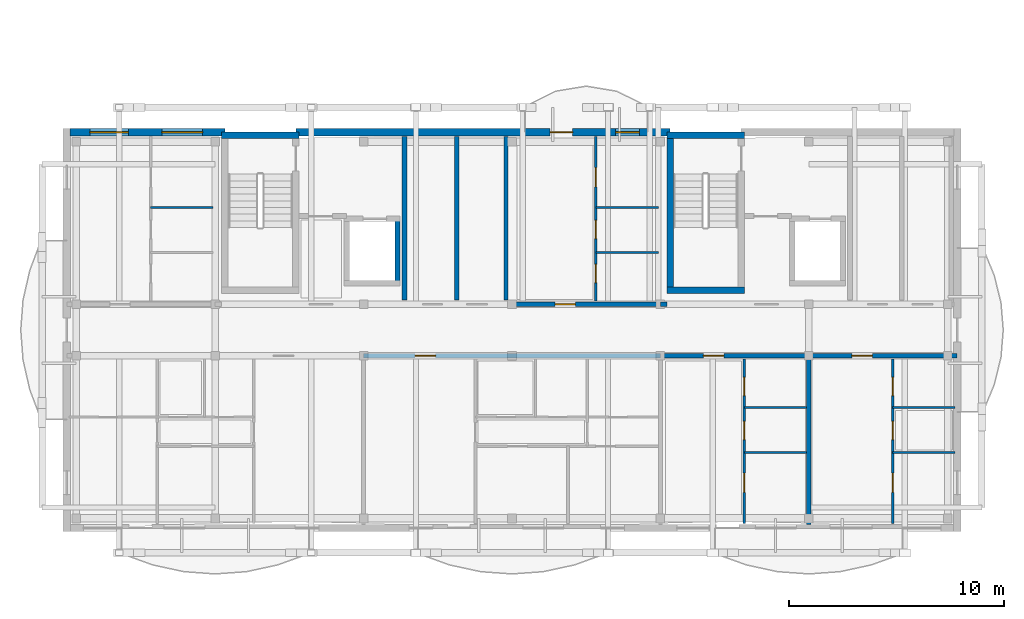
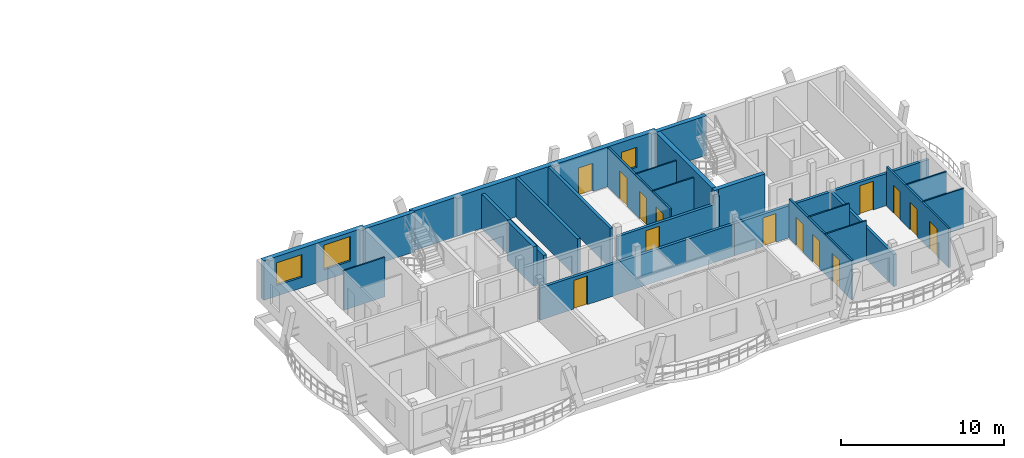
# One storey, part 8 of 18: 26 walls, 14 doors, 3 windows, 17 openings.
"""IFC4 building model written with IfcOpenShell, lengths in metres."""

from ifc_helpers import new_model, si_unit, direction, frame, frame_2d, origin, origin_with_axes, place, context, subcontext, project, spatial, rectangle, extrude, material, layer, layer_set, type_object, element, fill, save


model = new_model("IFC4")

# Units and contexts
model_context = context("Model", 3, precision=1e-05, world=origin(), true_north=direction((0.0, 1.0)))
body_context = subcontext(model_context, "Body", "Model", "MODEL_VIEW")
ifc_project = project(units=[si_unit("LENGTHUNIT", "METRE"), si_unit("AREAUNIT", "SQUARE_METRE"), si_unit("VOLUMEUNIT", "CUBIC_METRE"), si_unit("PLANEANGLEUNIT", "RADIAN"), si_unit("MASSUNIT", "GRAM", prefix="KILO")], contexts=[model_context])

# Site, building, storey
site_placement = place(None, origin())
site = spatial("IfcSite", under=ifc_project, at=site_placement, CompositionType="ELEMENT")
building_placement = place(site_placement, origin())
building = spatial("IfcBuilding", under=site, at=building_placement, Name="Zavelmont Quarter", CompositionType="ELEMENT")
storey_placement = place(building_placement, frame((0.0, 0.0, 40.0)))
storey = spatial("IfcBuildingStorey", under=building, at=storey_placement, Name="L12", CompositionType="ELEMENT", Elevation=40.0)

# Wall, openings, windows
ifc_material_1 = material(Name="Natural Belgian limestone", Category="masonry")
ifc_layer_1 = layer(ifc_material_1, 0.340087890625)
ifc_layer_set_1 = layer_set([ifc_layer_1], Name="Natural Belgian limestone")
wall_type_1 = type_object("IfcWallType", Name="EW03", PredefinedType="STANDARD", material=ifc_layer_set_1)
wall_1_placement = place(storey_placement, frame((0.159912109375, 18.39990234375, 0.0), z_axis=(0.0, 0.0, 1.0), x_axis=(1.0, 0.0, 0.0)))
wall_1 = element("IfcWall", 1, at=wall_1_placement, inside=storey, type_object=wall_type_1, Name="L12 exterior limestone wall EW03", PredefinedType="STANDARD", context=body_context, shape_type="SweptSolid", body=[
    extrude(rectangle(XDim=7.190185546875, YDim=0.340087890625, at=frame_2d((3.59521484375, 0.0))), origin(), (0.0, 0.0, 1.0), 2.969970703125),
])
opening_1_placement = place(wall_1_placement, frame((0.909912109375, 0.0, 0.800048828125)))
opening_1 = element("IfcOpeningElement", 2, at=opening_1_placement, cuts=wall_1, Name="Opening WN02", PredefinedType="OPENING", context=body_context, shape_type="SweptSolid", body=[
    extrude(rectangle(XDim=1.800048828125, YDim=1.699951171875, at=frame_2d((0.89990234375, 0.85009765625))), frame((0.0, 0.18212890625, 0.0), z_axis=(0.0, -1.0, 0.0), x_axis=(1.0, 0.0, 0.0)), (0.0, 0.0, 1.0), 0.364013671875),
])
opening_2_placement = place(wall_1_placement, frame((4.260009765625, 0.0, 0.800048828125)))
opening_2 = element("IfcOpeningElement", 3, at=opening_2_placement, cuts=wall_1, Name="Opening WN20", PredefinedType="OPENING", context=body_context, shape_type="SweptSolid", body=[
    extrude(rectangle(XDim=1.89990234375, YDim=1.85009765625, at=frame_2d((0.949951171875, 0.925048828125))), frame((0.0, 0.18212890625, 0.0), z_axis=(0.0, -1.0, 0.0), x_axis=(1.0, 0.0, 0.0)), (0.0, 0.0, 1.0), 0.364013671875),
])
ifc_material_2 = material(Name="Double low-E insulated glazing in thermally broken aluminium frame", Category="aluminium")
window_type_1 = type_object("IfcWindowType", Name="WN02", PartitioningType="SINGLE_PANEL", PredefinedType="WINDOW", material=ifc_material_2)
window_1_placement = place(opening_1_placement, origin_with_axes())
window_1 = element("IfcWindow", 4, at=window_1_placement, inside=storey, type_object=window_type_1, Name="L12 window WN02", OverallHeight=1.699951171875, OverallWidth=1.800048828125, PartitioningType="SINGLE_PANEL", PredefinedType="WINDOW", context=body_context, shape_type="SweptSolid", body=[
    extrude(rectangle(XDim=1.800048828125, YDim=1.699951171875, at=frame_2d((0.89990234375, 0.85009765625))), frame((0.0, 0.030029296875, 0.0), z_axis=(0.0, -1.0, 0.0), x_axis=(1.0, 0.0, 0.0)), (0.0, 0.0, 1.0), 0.06005859375),
])
fill(opening_1, window_1)
window_type_2 = type_object("IfcWindowType", Name="WN20", PartitioningType="SINGLE_PANEL", PredefinedType="WINDOW", material=ifc_material_2)
window_2_placement = place(opening_2_placement, origin_with_axes())
window_2 = element("IfcWindow", 5, at=window_2_placement, inside=storey, type_object=window_type_2, Name="L12 window WN20", OverallHeight=1.85009765625, OverallWidth=1.89990234375, PartitioningType="SINGLE_PANEL", PredefinedType="WINDOW", context=body_context, shape_type="SweptSolid", body=[
    extrude(rectangle(XDim=1.89990234375, YDim=1.85009765625, at=frame_2d((0.949951171875, 0.925048828125))), frame((0.0, 0.030029296875, 0.0), z_axis=(0.0, -1.0, 0.0), x_axis=(1.0, 0.0, 0.0)), (0.0, 0.0, 1.0), 0.06005859375),
])
fill(opening_2, window_2)

# Wall, openings, door, window
wall_2_placement = place(storey_placement, frame((10.64990234375, 18.39990234375, 0.0), z_axis=(0.0, 0.0, 1.0), x_axis=(1.0, 0.0, 0.0)))
wall_2 = element("IfcWall", 6, at=wall_2_placement, inside=storey, type_object=wall_type_1, Name="L12 exterior limestone wall EW03", PredefinedType="STANDARD", context=body_context, shape_type="SweptSolid", body=[
    extrude(rectangle(XDim=17.400146484375, YDim=0.340087890625, at=frame_2d((8.7001953125, 0.0))), origin(), (0.0, 0.0, 1.0), 2.969970703125),
])
opening_3_placement = place(wall_2_placement, frame((11.820068359375, 0.0, 0.0)))
opening_3 = element("IfcOpeningElement", 7, at=opening_3_placement, cuts=wall_2, Name="Opening DR04A", PredefinedType="OPENING", context=body_context, shape_type="SweptSolid", body=[
    extrude(rectangle(XDim=1.050048828125, YDim=2.1201171875, at=frame_2d((0.52490234375, 1.06005859375))), frame((0.0, 0.18212890625, 0.0), z_axis=(0.0, -1.0, 0.0), x_axis=(1.0, 0.0, 0.0)), (0.0, 0.0, 1.0), 0.364013671875),
])
opening_4_placement = place(wall_2_placement, frame((14.8701171875, 0.0, 0.719970703125)))
opening_4 = element("IfcOpeningElement", 8, at=opening_4_placement, cuts=wall_2, Name="Opening WN09", PredefinedType="OPENING", context=body_context, shape_type="SweptSolid", body=[
    extrude(rectangle(XDim=1.10009765625, YDim=1.5, at=frame_2d((0.550048828125, 0.75))), frame((0.0, 0.18212890625, 0.0), z_axis=(0.0, -1.0, 0.0), x_axis=(1.0, 0.0, 0.0)), (0.0, 0.0, 1.0), 0.364013671875),
])
ifc_material_3 = material(Name="Thermally broken aluminium and double safety glass", Category="aluminium")
door_type_1 = type_object("IfcDoorType", Name="DR04A", OperationType="NOTDEFINED", PredefinedType="DOOR", material=ifc_material_3)
door_1_placement = place(opening_3_placement, frame((1.050048828125, 0.0, 0.0), z_axis=(0.0, 0.0, 1.0), x_axis=(-1.0, 0.0, 0.0)))
door_1 = element("IfcDoor", 9, at=door_1_placement, inside=storey, type_object=door_type_1, Name="Block A L12 glazed balcony door", OperationType="SINGLE_SWING_LEFT", OverallHeight=2.1201171875, OverallWidth=1.050048828125, PredefinedType="DOOR", context=body_context, shape_type="SweptSolid", body=[
    extrude(rectangle(XDim=1.050048828125, YDim=2.1201171875, at=frame_2d((0.52490234375, 1.06005859375))), frame((0.0, 0.02490234375, 0.0), z_axis=(0.0, -1.0, 0.0), x_axis=(1.0, 0.0, 0.0)), (0.0, 0.0, 1.0), 0.050048828125),
])
fill(opening_3, door_1)
window_type_3 = type_object("IfcWindowType", Name="WN09", PartitioningType="SINGLE_PANEL", PredefinedType="WINDOW", material=ifc_material_2)
window_3_placement = place(opening_4_placement, origin_with_axes())
window_3 = element("IfcWindow", 10, at=window_3_placement, inside=storey, type_object=window_type_3, Name="L12 window WN09", OverallHeight=1.5, OverallWidth=1.10009765625, PartitioningType="SINGLE_PANEL", PredefinedType="WINDOW", context=body_context, shape_type="SweptSolid", body=[
    extrude(rectangle(XDim=1.10009765625, YDim=1.5, at=frame_2d((0.550048828125, 0.75))), frame((0.0, 0.030029296875, 0.0), z_axis=(0.0, -1.0, 0.0), x_axis=(1.0, 0.0, 0.0)), (0.0, 0.0, 1.0), 0.06005859375),
])
fill(opening_4, window_3)

# Walls
ifc_material_4 = material(Name="Calcium-silicate blockwork and acoustic plaster", Category="masonry")
ifc_layer_2 = layer(ifc_material_4, 0.199951171875)
ifc_layer_set_2 = layer_set([ifc_layer_2], Name="Calcium-silicate blockwork and acoustic plaster")
wall_type_2 = type_object("IfcWallType", Name="IW01", PredefinedType="PARTITIONING", material=ifc_layer_set_2)
for number, where, z_axis, x_axis, name in (
    (11, (18.125, 10.60009765625, 0.0), (0.0, 0.0, 1.0), (0.0, 1.0, 0.0), "L12 Service riser divider wall IW01"),
    (12, (20.419921875, 10.60009765625, 0.0), (0.0, 0.0, 1.0), (0.0, 1.0, 0.0), "L12 Core service end wall IW01"),
):
    element("IfcWall", number, at=place(storey_placement, frame(where, z_axis=z_axis, x_axis=x_axis)), inside=storey, type_object=wall_type_2, Name=name, PredefinedType="PARTITIONING", context=body_context, shape_type="SweptSolid", body=[
        extrude(rectangle(XDim=7.599853515625, YDim=0.199951171875, at=frame_2d((3.7998046875, 0.0))), origin(), (0.0, 0.0, 1.0), 2.969970703125),
    ])

# Wall, opening, door
wall_3_placement = place(storey_placement, frame((13.800048828125, 8.0, 0.0), z_axis=(0.0, 0.0, 1.0), x_axis=(1.0, 0.0, 0.0)))
wall_3 = element("IfcWall", 13, at=wall_3_placement, inside=storey, type_object=wall_type_2, Name="L12 Corridor compartment wall IW01", PredefinedType="PARTITIONING", context=body_context, shape_type="SweptSolid", body=[
    extrude(rectangle(XDim=13.800048828125, YDim=0.199951171875, at=frame_2d((6.89990234375, 0.0))), origin(), (0.0, 0.0, 1.0), 2.409912109375),
])
opening_5_placement = place(wall_3_placement, frame((2.39990234375, 0.0, 0.0)))
opening_5 = element("IfcOpeningElement", 14, at=opening_5_placement, cuts=wall_3, Name="Opening DR02", PredefinedType="OPENING", context=body_context, shape_type="SweptSolid", body=[
    extrude(rectangle(XDim=0.949951171875, YDim=2.14990234375, at=frame_2d((0.47509765625, 1.074951171875))), frame((0.0, 0.11181640625, 0.0), z_axis=(0.0, -1.0, 0.0), x_axis=(1.0, 0.0, 0.0)), (0.0, 0.0, 1.0), 0.223876953125),
])
ifc_material_5 = material(Name="Solid-core oak fire leaf in steel frame", Category="steel")
door_type_2 = type_object("IfcDoorType", Name="DR02", OperationType="NOTDEFINED", PredefinedType="DOOR", material=ifc_material_5)
door_2_placement = place(opening_5_placement, frame((0.949951171875, 0.0, 0.0), z_axis=(0.0, 0.0, 1.0), x_axis=(-1.0, 0.0, 0.0)))
door_2 = element("IfcDoor", 15, at=door_2_placement, inside=storey, type_object=door_type_2, Name="L12 door DR02", OperationType="SINGLE_SWING_RIGHT", OverallHeight=2.14990234375, OverallWidth=0.949951171875, PredefinedType="DOOR", context=body_context, shape_type="SweptSolid", body=[
    extrude(rectangle(XDim=0.949951171875, YDim=2.14990234375, at=frame_2d((0.47509765625, 1.074951171875))), frame((0.0, 0.02490234375, 0.0), z_axis=(0.0, -1.0, 0.0), x_axis=(1.0, 0.0, 0.0)), (0.0, 0.0, 1.0), 0.050048828125),
])
fill(opening_5, door_2)

# Wall
wall_4_placement = place(storey_placement, frame((34.5, 7.85009765625, 0.0), z_axis=(0.0, 0.0, 1.0), x_axis=(0.0, -1.0, 0.0)))
element("IfcWall", 16, at=wall_4_placement, inside=storey, type_object=wall_type_2, Name="L12 Inter-dwelling compartment wall IW01", PredefinedType="PARTITIONING", context=body_context, shape_type="SweptSolid", body=[
    extrude(rectangle(XDim=7.7001953125, YDim=0.199951171875, at=frame_2d((3.85009765625, 0.0))), origin(), (0.0, 0.0, 1.0), 2.409912109375),
])

# Wall, opening, door
wall_5_placement = place(storey_placement, frame((27.60009765625, 8.0, 0.0), z_axis=(0.0, 0.0, 1.0), x_axis=(1.0, 0.0, 0.0)))
wall_5 = element("IfcWall", 17, at=wall_5_placement, inside=storey, type_object=wall_type_2, Name="L12 Corridor compartment wall IW01", PredefinedType="PARTITIONING", context=body_context, shape_type="SweptSolid", body=[
    extrude(rectangle(XDim=6.89990234375, YDim=0.199951171875, at=frame_2d((3.449951171875, 0.0))), origin(), (0.0, 0.0, 1.0), 2.409912109375),
])
opening_6_placement = place(wall_5_placement, frame((2.0, 0.0, 0.0)))
opening_6 = element("IfcOpeningElement", 18, at=opening_6_placement, cuts=wall_5, Name="Opening DR02", PredefinedType="OPENING", context=body_context, shape_type="SweptSolid", body=[
    extrude(rectangle(XDim=0.949951171875, YDim=2.14990234375, at=frame_2d((0.47509765625, 1.074951171875))), frame((0.0, 0.11181640625, 0.0), z_axis=(0.0, -1.0, 0.0), x_axis=(1.0, 0.0, 0.0)), (0.0, 0.0, 1.0), 0.223876953125),
])
door_3_placement = place(opening_6_placement, frame((0.949951171875, 0.0, 0.0), z_axis=(0.0, 0.0, 1.0), x_axis=(-1.0, 0.0, 0.0)))
door_3 = element("IfcDoor", 19, at=door_3_placement, inside=storey, type_object=door_type_2, Name="L12 door DR02", OperationType="SINGLE_SWING_LEFT", OverallHeight=2.14990234375, OverallWidth=0.949951171875, PredefinedType="DOOR", context=body_context, shape_type="SweptSolid", body=[
    extrude(rectangle(XDim=0.949951171875, YDim=2.14990234375, at=frame_2d((0.47509765625, 1.074951171875))), frame((0.0, 0.02490234375, 0.0), z_axis=(0.0, -1.0, 0.0), x_axis=(1.0, 0.0, 0.0)), (0.0, 0.0, 1.0), 0.050048828125),
])
fill(opening_6, door_3)

wall_6_placement = place(storey_placement, frame((34.5, 8.0, 0.0), z_axis=(0.0, 0.0, 1.0), x_axis=(1.0, 0.0, 0.0)))
wall_6 = element("IfcWall", 20, at=wall_6_placement, inside=storey, type_object=wall_type_2, Name="L12 Corridor compartment wall IW01", PredefinedType="PARTITIONING", context=body_context, shape_type="SweptSolid", body=[
    extrude(rectangle(XDim=6.89990234375, YDim=0.199951171875, at=frame_2d((3.449951171875, 0.0))), origin(), (0.0, 0.0, 1.0), 2.409912109375),
])
opening_7_placement = place(wall_6_placement, frame((2.0, 0.0, 0.0)))
opening_7 = element("IfcOpeningElement", 21, at=opening_7_placement, cuts=wall_6, Name="Opening DR02", PredefinedType="OPENING", context=body_context, shape_type="SweptSolid", body=[
    extrude(rectangle(XDim=0.949951171875, YDim=2.14990234375, at=frame_2d((0.47509765625, 1.074951171875))), frame((0.0, 0.11181640625, 0.0), z_axis=(0.0, -1.0, 0.0), x_axis=(1.0, 0.0, 0.0)), (0.0, 0.0, 1.0), 0.223876953125),
])
door_4_placement = place(opening_7_placement, frame((0.949951171875, 0.0, 0.0), z_axis=(0.0, 0.0, 1.0), x_axis=(-1.0, 0.0, 0.0)))
door_4 = element("IfcDoor", 22, at=door_4_placement, inside=storey, type_object=door_type_2, Name="L12 door DR02", OperationType="SINGLE_SWING_RIGHT", OverallHeight=2.14990234375, OverallWidth=0.949951171875, PredefinedType="DOOR", context=body_context, shape_type="SweptSolid", body=[
    extrude(rectangle(XDim=0.949951171875, YDim=2.14990234375, at=frame_2d((0.47509765625, 1.074951171875))), frame((0.0, 0.02490234375, 0.0), z_axis=(0.0, -1.0, 0.0), x_axis=(1.0, 0.0, 0.0)), (0.0, 0.0, 1.0), 0.050048828125),
])
fill(opening_7, door_4)

wall_7_placement = place(storey_placement, frame((20.699951171875, 10.39990234375, 0.0), z_axis=(0.0, 0.0, 1.0), x_axis=(1.0, 0.0, 0.0)))
wall_7 = element("IfcWall", 23, at=wall_7_placement, inside=storey, type_object=wall_type_2, Name="L12 Corridor compartment wall IW01", PredefinedType="PARTITIONING", context=body_context, shape_type="SweptSolid", body=[
    extrude(rectangle(XDim=6.900146484375, YDim=0.199951171875, at=frame_2d((3.4501953125, 0.0))), origin(), (0.0, 0.0, 1.0), 2.409912109375),
])
opening_8_placement = place(wall_7_placement, frame((2.0, 0.0, 0.0)))
opening_8 = element("IfcOpeningElement", 24, at=opening_8_placement, cuts=wall_7, Name="Opening DR02", PredefinedType="OPENING", context=body_context, shape_type="SweptSolid", body=[
    extrude(rectangle(XDim=0.949951171875, YDim=2.14990234375, at=frame_2d((0.47509765625, 1.074951171875))), frame((0.0, 0.11181640625, 0.0), z_axis=(0.0, -1.0, 0.0), x_axis=(1.0, 0.0, 0.0)), (0.0, 0.0, 1.0), 0.223876953125),
])
door_5_placement = place(opening_8_placement, origin_with_axes())
door_5 = element("IfcDoor", 25, at=door_5_placement, inside=storey, type_object=door_type_2, Name="L12 door DR02", OperationType="SINGLE_SWING_LEFT", OverallHeight=2.14990234375, OverallWidth=0.949951171875, PredefinedType="DOOR", context=body_context, shape_type="SweptSolid", body=[
    extrude(rectangle(XDim=0.949951171875, YDim=2.14990234375, at=frame_2d((0.47509765625, 1.074951171875))), frame((0.0, 0.02490234375, 0.0), z_axis=(0.0, -1.0, 0.0), x_axis=(1.0, 0.0, 0.0)), (0.0, 0.0, 1.0), 0.050048828125),
])
fill(opening_8, door_5)

# Walls
ifc_material_6 = material(Name="Reinforced masonry fire compartment wall", Category="masonry")
ifc_layer_3 = layer(ifc_material_6, 0.22509765625)
ifc_layer_set_3 = layer_set([ifc_layer_3], Name="Reinforced masonry fire compartment wall")
wall_type_3 = type_object("IfcWallType", Name="IW02", PredefinedType="PARTITIONING", material=ifc_layer_set_3)
wall_8_placement = place(storey_placement, frame((15.7099609375, 10.60009765625, 0.0), z_axis=(0.0, 0.0, 1.0), x_axis=(0.0, 1.0, 0.0)))
element("IfcWall", 26, at=wall_8_placement, inside=storey, type_object=wall_type_3, Name="L12 Firefighting lobby enclosure wall IW02", PredefinedType="PARTITIONING", context=body_context, shape_type="SweptSolid", body=[
    extrude(rectangle(XDim=7.599853515625, YDim=0.22509765625, at=frame_2d((3.7998046875, 0.0))), origin(), (0.0, 0.0, 1.0), 2.590087890625),
])
wall_9_placement = place(storey_placement, frame((27.60009765625, 10.39990234375, 0.0), z_axis=(0.0, 0.0, 1.0), x_axis=(1.0, 0.0, 0.0)))
element("IfcWall", 27, at=wall_9_placement, inside=storey, type_object=wall_type_3, Name="L12 Core corridor wall IW02", PredefinedType="PARTITIONING", context=body_context, shape_type="SweptSolid", body=[
    extrude(rectangle(XDim=0.2998046875, YDim=0.22509765625, at=frame_2d((0.14990234375, 0.0))), origin(), (0.0, 0.0, 1.0), 2.969970703125),
])

# Wall, openings, doors
ifc_material_7 = material(Name="Double gypsum board on acoustic steel stud", Category="steel")
ifc_layer_4 = layer(ifc_material_7, 0.125)
ifc_layer_set_4 = layer_set([ifc_layer_4], Name="Double gypsum board on acoustic steel stud")
wall_type_4 = type_object("IfcWallType", Name="IW03", PredefinedType="PARTITIONING", material=ifc_layer_set_4)
wall_10_placement = place(storey_placement, frame((31.5, 7.85009765625, 0.0), z_axis=(0.0, 0.0, 1.0), x_axis=(0.0, -1.0, 0.0)))
wall_10 = element("IfcWall", 28, at=wall_10_placement, inside=storey, type_object=wall_type_4, Name="L12 Partition IW03", PredefinedType="PARTITIONING", context=body_context, shape_type="SweptSolid", body=[
    extrude(rectangle(XDim=7.650146484375, YDim=0.125, at=frame_2d((3.8251953125, 0.0))), origin(), (0.0, 0.0, 1.0), 2.969970703125),
])
opening_9_placement = place(wall_10_placement, frame((0.85009765625, 0.0, 0.0)))
opening_9 = element("IfcOpeningElement", 29, at=opening_9_placement, cuts=wall_10, Name="Opening DR16", PredefinedType="OPENING", context=body_context, shape_type="SweptSolid", body=[
    extrude(rectangle(XDim=0.85009765625, YDim=2.10009765625, at=frame_2d((0.425048828125, 1.050048828125))), frame((0.0, 0.074462890625, 0.0), z_axis=(0.0, -1.0, 0.0), x_axis=(1.0, 0.0, 0.0)), (0.0, 0.0, 1.0), 0.14892578125),
])
opening_10_placement = place(wall_10_placement, frame((2.89990234375, 0.0, 0.0)))
opening_10 = element("IfcOpeningElement", 30, at=opening_10_placement, cuts=wall_10, Name="Opening DR06", PredefinedType="OPENING", context=body_context, shape_type="SweptSolid", body=[
    extrude(rectangle(XDim=0.85009765625, YDim=2.050048828125, at=frame_2d((0.425048828125, 1.02490234375))), frame((0.0, 0.074462890625, 0.0), z_axis=(0.0, -1.0, 0.0), x_axis=(1.0, 0.0, 0.0)), (0.0, 0.0, 1.0), 0.14892578125),
])
opening_11_placement = place(wall_10_placement, frame((5.300048828125, 0.0, 0.0)))
opening_11 = element("IfcOpeningElement", 31, at=opening_11_placement, cuts=wall_10, Name="Opening DR05", PredefinedType="OPENING", context=body_context, shape_type="SweptSolid", body=[
    extrude(rectangle(XDim=0.89990234375, YDim=2.10009765625, at=frame_2d((0.449951171875, 1.050048828125))), frame((0.0, 0.074462890625, 0.0), z_axis=(0.0, -1.0, 0.0), x_axis=(1.0, 0.0, 0.0)), (0.0, 0.0, 1.0), 0.14892578125),
])
ifc_material_8 = material(Name="Engineered oak flush interior door")
door_type_3 = type_object("IfcDoorType", Name="DR05", OperationType="NOTDEFINED", PredefinedType="DOOR", material=ifc_material_8)
door_6_placement = place(opening_11_placement, origin_with_axes())
door_6 = element("IfcDoor", 32, at=door_6_placement, inside=storey, type_object=door_type_3, Name="L12 door DR05", OperationType="SINGLE_SWING_LEFT", OverallHeight=2.10009765625, OverallWidth=0.89990234375, PredefinedType="DOOR", context=body_context, shape_type="SweptSolid", body=[
    extrude(rectangle(XDim=0.89990234375, YDim=2.10009765625, at=frame_2d((0.449951171875, 1.050048828125))), frame((0.0, 0.02490234375, 0.0), z_axis=(0.0, -1.0, 0.0), x_axis=(1.0, 0.0, 0.0)), (0.0, 0.0, 1.0), 0.050048828125),
])
fill(opening_11, door_6)
ifc_material_9 = material(Name="Moisture-resistant painted wet-room door")
door_type_4 = type_object("IfcDoorType", Name="DR06", OperationType="NOTDEFINED", PredefinedType="DOOR", material=ifc_material_9)
door_7_placement = place(opening_10_placement, frame((0.85009765625, 0.0, 0.0), z_axis=(0.0, 0.0, 1.0), x_axis=(-1.0, 0.0, 0.0)))
door_7 = element("IfcDoor", 33, at=door_7_placement, inside=storey, type_object=door_type_4, Name="L12 door DR06", OperationType="SINGLE_SWING_RIGHT", OverallHeight=2.050048828125, OverallWidth=0.85009765625, PredefinedType="DOOR", context=body_context, shape_type="SweptSolid", body=[
    extrude(rectangle(XDim=0.85009765625, YDim=2.050048828125, at=frame_2d((0.425048828125, 1.02490234375))), frame((0.0, 0.02490234375, 0.0), z_axis=(0.0, -1.0, 0.0), x_axis=(1.0, 0.0, 0.0)), (0.0, 0.0, 1.0), 0.050048828125),
])
fill(opening_10, door_7)
door_type_5 = type_object("IfcDoorType", Name="DR16", OperationType="NOTDEFINED", PredefinedType="DOOR", material=ifc_material_8)
door_8_placement = place(opening_9_placement, origin_with_axes())
door_8 = element("IfcDoor", 34, at=door_8_placement, inside=storey, type_object=door_type_5, Name="L12 door DR16", OperationType="SINGLE_SWING_LEFT", OverallHeight=2.10009765625, OverallWidth=0.85009765625, PredefinedType="DOOR", context=body_context, shape_type="SweptSolid", body=[
    extrude(rectangle(XDim=0.85009765625, YDim=2.10009765625, at=frame_2d((0.425048828125, 1.050048828125))), frame((0.0, 0.02490234375, 0.0), z_axis=(0.0, -1.0, 0.0), x_axis=(1.0, 0.0, 0.0)), (0.0, 0.0, 1.0), 0.050048828125),
])
fill(opening_9, door_8)

wall_11_placement = place(storey_placement, frame((38.39990234375, 7.85009765625, 0.0), z_axis=(0.0, 0.0, 1.0), x_axis=(0.0, -1.0, 0.0)))
wall_11 = element("IfcWall", 35, at=wall_11_placement, inside=storey, type_object=wall_type_4, Name="L12 Partition IW03", PredefinedType="PARTITIONING", context=body_context, shape_type="SweptSolid", body=[
    extrude(rectangle(XDim=7.650146484375, YDim=0.125, at=frame_2d((3.8251953125, 0.0))), origin(), (0.0, 0.0, 1.0), 2.969970703125),
])
opening_12_placement = place(wall_11_placement, frame((0.85009765625, 0.0, 0.0)))
opening_12 = element("IfcOpeningElement", 36, at=opening_12_placement, cuts=wall_11, Name="Opening DR16", PredefinedType="OPENING", context=body_context, shape_type="SweptSolid", body=[
    extrude(rectangle(XDim=0.85009765625, YDim=2.10009765625, at=frame_2d((0.425048828125, 1.050048828125))), frame((0.0, 0.074462890625, 0.0), z_axis=(0.0, -1.0, 0.0), x_axis=(1.0, 0.0, 0.0)), (0.0, 0.0, 1.0), 0.14892578125),
])
opening_13_placement = place(wall_11_placement, frame((2.89990234375, 0.0, 0.0)))
opening_13 = element("IfcOpeningElement", 37, at=opening_13_placement, cuts=wall_11, Name="Opening DR06", PredefinedType="OPENING", context=body_context, shape_type="SweptSolid", body=[
    extrude(rectangle(XDim=0.85009765625, YDim=2.050048828125, at=frame_2d((0.425048828125, 1.02490234375))), frame((0.0, 0.074462890625, 0.0), z_axis=(0.0, -1.0, 0.0), x_axis=(1.0, 0.0, 0.0)), (0.0, 0.0, 1.0), 0.14892578125),
])
opening_14_placement = place(wall_11_placement, frame((5.300048828125, 0.0, 0.0)))
opening_14 = element("IfcOpeningElement", 38, at=opening_14_placement, cuts=wall_11, Name="Opening DR05", PredefinedType="OPENING", context=body_context, shape_type="SweptSolid", body=[
    extrude(rectangle(XDim=0.89990234375, YDim=2.10009765625, at=frame_2d((0.449951171875, 1.050048828125))), frame((0.0, 0.074462890625, 0.0), z_axis=(0.0, -1.0, 0.0), x_axis=(1.0, 0.0, 0.0)), (0.0, 0.0, 1.0), 0.14892578125),
])
door_9_placement = place(opening_14_placement, origin_with_axes())
door_9 = element("IfcDoor", 39, at=door_9_placement, inside=storey, type_object=door_type_3, Name="L12 door DR05", OperationType="SINGLE_SWING_RIGHT", OverallHeight=2.10009765625, OverallWidth=0.89990234375, PredefinedType="DOOR", context=body_context, shape_type="SweptSolid", body=[
    extrude(rectangle(XDim=0.89990234375, YDim=2.10009765625, at=frame_2d((0.449951171875, 1.050048828125))), frame((0.0, 0.02490234375, 0.0), z_axis=(0.0, -1.0, 0.0), x_axis=(1.0, 0.0, 0.0)), (0.0, 0.0, 1.0), 0.050048828125),
])
fill(opening_14, door_9)
door_10_placement = place(opening_13_placement, frame((0.85009765625, 0.0, 0.0), z_axis=(0.0, 0.0, 1.0), x_axis=(-1.0, 0.0, 0.0)))
door_10 = element("IfcDoor", 40, at=door_10_placement, inside=storey, type_object=door_type_4, Name="L12 door DR06", OperationType="SINGLE_SWING_LEFT", OverallHeight=2.050048828125, OverallWidth=0.85009765625, PredefinedType="DOOR", context=body_context, shape_type="SweptSolid", body=[
    extrude(rectangle(XDim=0.85009765625, YDim=2.050048828125, at=frame_2d((0.425048828125, 1.02490234375))), frame((0.0, 0.02490234375, 0.0), z_axis=(0.0, -1.0, 0.0), x_axis=(1.0, 0.0, 0.0)), (0.0, 0.0, 1.0), 0.050048828125),
])
fill(opening_13, door_10)
door_11_placement = place(opening_12_placement, origin_with_axes())
door_11 = element("IfcDoor", 41, at=door_11_placement, inside=storey, type_object=door_type_5, Name="L12 door DR16", OperationType="SINGLE_SWING_RIGHT", OverallHeight=2.10009765625, OverallWidth=0.85009765625, PredefinedType="DOOR", context=body_context, shape_type="SweptSolid", body=[
    extrude(rectangle(XDim=0.85009765625, YDim=2.10009765625, at=frame_2d((0.425048828125, 1.050048828125))), frame((0.0, 0.02490234375, 0.0), z_axis=(0.0, -1.0, 0.0), x_axis=(1.0, 0.0, 0.0)), (0.0, 0.0, 1.0), 0.050048828125),
])
fill(opening_12, door_11)

wall_12_placement = place(storey_placement, frame((24.60009765625, 10.550048828125, 0.0), z_axis=(0.0, 0.0, 1.0), x_axis=(0.0, 1.0, 0.0)))
wall_12 = element("IfcWall", 42, at=wall_12_placement, inside=storey, type_object=wall_type_4, Name="L12 Partition IW03", PredefinedType="PARTITIONING", context=body_context, shape_type="SweptSolid", body=[
    extrude(rectangle(XDim=7.64990234375, YDim=0.125, at=frame_2d((3.824951171875, 0.0))), origin(), (0.0, 0.0, 1.0), 2.969970703125),
])
opening_15_placement = place(wall_12_placement, frame((0.85009765625, 0.0, 0.0)))
opening_15 = element("IfcOpeningElement", 43, at=opening_15_placement, cuts=wall_12, Name="Opening DR16", PredefinedType="OPENING", context=body_context, shape_type="SweptSolid", body=[
    extrude(rectangle(XDim=0.85009765625, YDim=2.10009765625, at=frame_2d((0.425048828125, 1.050048828125))), frame((0.0, 0.074462890625, 0.0), z_axis=(0.0, -1.0, 0.0), x_axis=(1.0, 0.0, 0.0)), (0.0, 0.0, 1.0), 0.14892578125),
])
opening_16_placement = place(wall_12_placement, frame((2.89990234375, 0.0, 0.0)))
opening_16 = element("IfcOpeningElement", 44, at=opening_16_placement, cuts=wall_12, Name="Opening DR06", PredefinedType="OPENING", context=body_context, shape_type="SweptSolid", body=[
    extrude(rectangle(XDim=0.85009765625, YDim=2.050048828125, at=frame_2d((0.425048828125, 1.02490234375))), frame((0.0, 0.074462890625, 0.0), z_axis=(0.0, -1.0, 0.0), x_axis=(1.0, 0.0, 0.0)), (0.0, 0.0, 1.0), 0.14892578125),
])
opening_17_placement = place(wall_12_placement, frame((5.300048828125, 0.0, 0.0)))
opening_17 = element("IfcOpeningElement", 45, at=opening_17_placement, cuts=wall_12, Name="Opening DR05", PredefinedType="OPENING", context=body_context, shape_type="SweptSolid", body=[
    extrude(rectangle(XDim=0.89990234375, YDim=2.10009765625, at=frame_2d((0.449951171875, 1.050048828125))), frame((0.0, 0.074462890625, 0.0), z_axis=(0.0, -1.0, 0.0), x_axis=(1.0, 0.0, 0.0)), (0.0, 0.0, 1.0), 0.14892578125),
])
door_12_placement = place(opening_17_placement, origin_with_axes())
door_12 = element("IfcDoor", 46, at=door_12_placement, inside=storey, type_object=door_type_3, Name="L12 door DR05", OperationType="SINGLE_SWING_LEFT", OverallHeight=2.10009765625, OverallWidth=0.89990234375, PredefinedType="DOOR", context=body_context, shape_type="SweptSolid", body=[
    extrude(rectangle(XDim=0.89990234375, YDim=2.10009765625, at=frame_2d((0.449951171875, 1.050048828125))), frame((0.0, 0.02490234375, 0.0), z_axis=(0.0, -1.0, 0.0), x_axis=(1.0, 0.0, 0.0)), (0.0, 0.0, 1.0), 0.050048828125),
])
fill(opening_17, door_12)
door_13_placement = place(opening_16_placement, frame((0.85009765625, 0.0, 0.0), z_axis=(0.0, 0.0, 1.0), x_axis=(-1.0, 0.0, 0.0)))
door_13 = element("IfcDoor", 47, at=door_13_placement, inside=storey, type_object=door_type_4, Name="L12 door DR06", OperationType="SINGLE_SWING_RIGHT", OverallHeight=2.050048828125, OverallWidth=0.85009765625, PredefinedType="DOOR", context=body_context, shape_type="SweptSolid", body=[
    extrude(rectangle(XDim=0.85009765625, YDim=2.050048828125, at=frame_2d((0.425048828125, 1.02490234375))), frame((0.0, 0.02490234375, 0.0), z_axis=(0.0, -1.0, 0.0), x_axis=(1.0, 0.0, 0.0)), (0.0, 0.0, 1.0), 0.050048828125),
])
fill(opening_16, door_13)
door_14_placement = place(opening_15_placement, origin_with_axes())
door_14 = element("IfcDoor", 48, at=door_14_placement, inside=storey, type_object=door_type_5, Name="L12 door DR16", OperationType="SINGLE_SWING_LEFT", OverallHeight=2.10009765625, OverallWidth=0.85009765625, PredefinedType="DOOR", context=body_context, shape_type="SweptSolid", body=[
    extrude(rectangle(XDim=0.85009765625, YDim=2.10009765625, at=frame_2d((0.425048828125, 1.050048828125))), frame((0.0, 0.02490234375, 0.0), z_axis=(0.0, -1.0, 0.0), x_axis=(1.0, 0.0, 0.0)), (0.0, 0.0, 1.0), 0.050048828125),
])
fill(opening_15, door_14)

# Walls
ifc_material_10 = material(Name="Moisture-resistant gypsum board on steel stud", Category="steel")
ifc_layer_5 = layer(ifc_material_10, 0.10009765625)
ifc_layer_set_5 = layer_set([ifc_layer_5], Name="Moisture-resistant gypsum board on steel stud")
wall_type_5 = type_object("IfcWallType", Name="IW04", PredefinedType="PARTITIONING", material=ifc_layer_set_5)
for number, where, z_axis, x_axis, name in (
    (49, (31.5, 5.60009765625, 0.0), (0.0, 0.0, 1.0), (1.0, 0.0, 0.0), "L12 Partition IW04"),
    (50, (31.5, 3.5, 0.0), (0.0, 0.0, 1.0), (1.0, 0.0, 0.0), "L12 Partition IW04"),
):
    element("IfcWall", number, at=place(storey_placement, frame(where, z_axis=z_axis, x_axis=x_axis)), inside=storey, type_object=wall_type_5, Name=name, PredefinedType="PARTITIONING", context=body_context, shape_type="SweptSolid", body=[
        extrude(rectangle(XDim=2.89990234375, YDim=0.10009765625, at=frame_2d((1.449951171875, 0.0))), origin(), (0.0, 0.0, 1.0), 2.969970703125),
    ])
for number, where, z_axis, x_axis, name in (
    (51, (38.39990234375, 5.60009765625, 0.0), (0.0, 0.0, 1.0), (1.0, 0.0, 0.0), "L12 Partition IW04"),
    (52, (38.39990234375, 3.5, 0.0), (0.0, 0.0, 1.0), (1.0, 0.0, 0.0), "L12 Partition IW04"),
    (53, (3.89990234375, 14.89990234375, 0.0), (0.0, 0.0, 1.0), (1.0, 0.0, 0.0), "L12 Partition IW04"),
):
    element("IfcWall", number, at=place(storey_placement, frame(where, z_axis=z_axis, x_axis=x_axis)), inside=storey, type_object=wall_type_5, Name=name, PredefinedType="PARTITIONING", context=body_context, shape_type="SweptSolid", body=[
        extrude(rectangle(XDim=2.900146484375, YDim=0.10009765625, at=frame_2d((1.4501953125, 0.0))), origin(), (0.0, 0.0, 1.0), 2.969970703125),
    ])
for number, where, z_axis, x_axis, name in (
    (54, (24.60009765625, 12.800048828125, 0.0), (0.0, 0.0, 1.0), (1.0, 0.0, 0.0), "L12 Partition IW04"),
    (55, (24.60009765625, 14.89990234375, 0.0), (0.0, 0.0, 1.0), (1.0, 0.0, 0.0), "L12 Partition IW04"),
):
    element("IfcWall", number, at=place(storey_placement, frame(where, z_axis=z_axis, x_axis=x_axis)), inside=storey, type_object=wall_type_5, Name=name, PredefinedType="PARTITIONING", context=body_context, shape_type="SweptSolid", body=[
        extrude(rectangle(XDim=2.89990234375, YDim=0.10009765625, at=frame_2d((1.449951171875, 0.0))), origin(), (0.0, 0.0, 1.0), 2.969970703125),
    ])
ifc_material_11 = material(Name="Concrete C40/50", Category="concrete")
ifc_layer_6 = layer(ifc_material_11, 0.300048828125)
ifc_layer_set_6 = layer_set([ifc_layer_6], Name="Concrete C40/50")
wall_type_6 = type_object("IfcWallType", Name="SW01", PredefinedType="SHEAR", material=ifc_layer_set_6)
wall_13_placement = place(storey_placement, frame((27.89990234375, 11.050048828125, 0.0), z_axis=(0.0, 0.0, 1.0), x_axis=(1.0, 0.0, 0.0)))
element("IfcWall", 56, at=wall_13_placement, inside=storey, type_object=wall_type_6, Name="L12 ST02 corridor shear wall SW01", PredefinedType="SHEAR", context=body_context, shape_type="SweptSolid", body=[
    extrude(rectangle(XDim=3.60009765625, YDim=0.300048828125, at=frame_2d((1.800048828125, 0.0))), origin(), (0.0, 0.0, 1.0), 2.969970703125),
])
wall_14_placement = place(storey_placement, frame((28.050048828125, 10.89990234375, 0.0), z_axis=(0.0, 0.0, 1.0), x_axis=(0.0, 1.0, 0.0)))
element("IfcWall", 57, at=wall_14_placement, inside=storey, type_object=wall_type_6, Name="L12 ST02 west shear wall SW01", PredefinedType="SHEAR", context=body_context, shape_type="SweptSolid", body=[
    extrude(rectangle(XDim=7.5, YDim=0.300048828125, at=frame_2d((3.75, 0.0))), origin(), (0.0, 0.0, 1.0), 2.969970703125),
])
ifc_layer_7 = layer(ifc_material_11, 0.25)
ifc_layer_set_7 = layer_set([ifc_layer_7], Name="Concrete C40/50")
wall_type_7 = type_object("IfcWallType", Name="SW02", PredefinedType="SHEAR", material=ifc_layer_set_7)
wall_15_placement = place(storey_placement, frame((15.375, 11.25, 0.0), z_axis=(0.0, 0.0, 1.0), x_axis=(0.0, 1.0, 0.0)))
element("IfcWall", 58, at=wall_15_placement, inside=storey, type_object=wall_type_7, Name="L12 Lift FL01 east shaft wall SW02", PredefinedType="SHEAR", context=body_context, shape_type="SweptSolid", body=[
    extrude(rectangle(XDim=3.25, YDim=0.25, at=frame_2d((1.625, 0.0))), origin(), (0.0, 0.0, 1.0), 2.969970703125),
])
ifc_layer_8 = layer(ifc_material_11, 0.300048828125)
ifc_layer_set_8 = layer_set([ifc_layer_8], Name="Concrete C40/50")
wall_type_8 = type_object("IfcWallType", Name="SW03", PredefinedType="SHEAR", material=ifc_layer_set_8)
for number, where, z_axis, x_axis, name in (
    (59, (7.199951171875, 18.25, 0.0), (0.0, 0.0, 1.0), (1.0, 0.0, 0.0), "L12 ST01 outer shear wall SW03"),
    (60, (27.89990234375, 18.25, 0.0), (0.0, 0.0, 1.0), (1.0, 0.0, 0.0), "L12 ST02 outer shear wall SW03"),
):
    element("IfcWall", number, at=place(storey_placement, frame(where, z_axis=z_axis, x_axis=x_axis)), inside=storey, type_object=wall_type_8, Name=name, PredefinedType="SHEAR", context=body_context, shape_type="SweptSolid", body=[
        extrude(rectangle(XDim=3.60009765625, YDim=0.300048828125, at=frame_2d((1.800048828125, 0.0))), origin(), (0.0, 0.0, 1.0), 2.969970703125),
    ])

save(model, "model.ifc")
